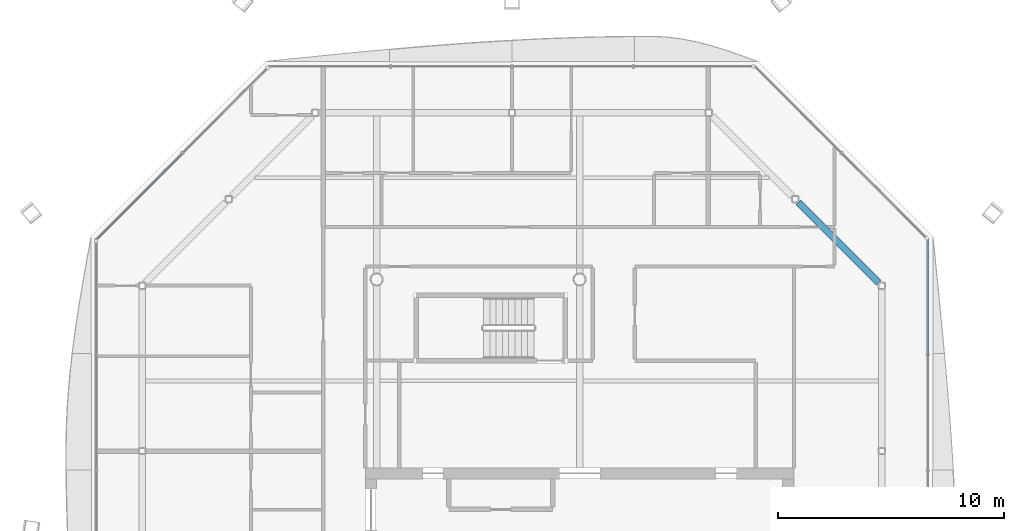
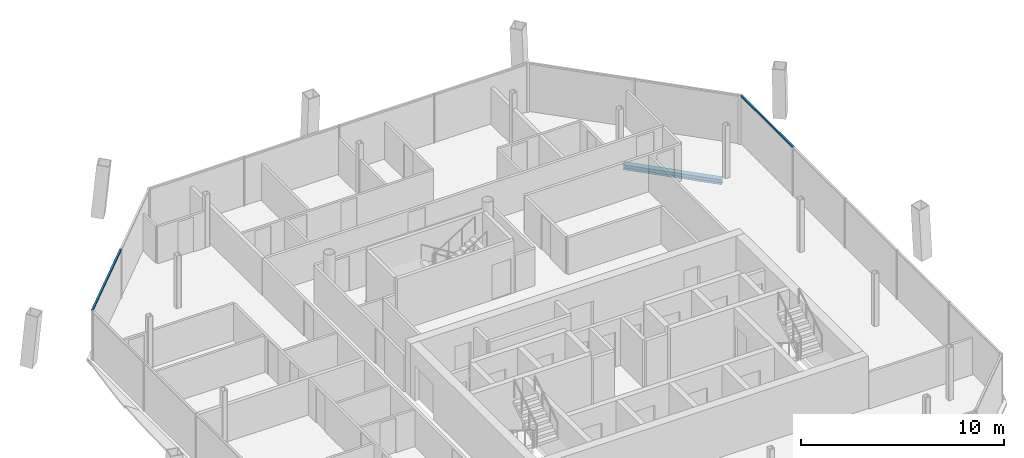
# One storey, part 8 of 17: 2 members, 1 beam, 2 elements without a shape of their own.
"""IFC4 building model written with IfcOpenShell, lengths in metres."""

from ifc_helpers import new_model, si_unit, direction, frame, origin, origin_2d, place, context, subcontext, project, spatial, rectangle, i_section, extrude, material, material_profile, profile_set, type_object, element, aggregate, save


model = new_model("IFC4")

# Units and contexts
model_context = context("Model", 3, precision=1e-05, world=origin(), true_north=direction((0.0, 1.0)))
body_context = subcontext(model_context, "Body", "Model", "MODEL_VIEW")
ifc_project = project(units=[si_unit("LENGTHUNIT", "METRE"), si_unit("AREAUNIT", "SQUARE_METRE"), si_unit("VOLUMEUNIT", "CUBIC_METRE"), si_unit("PLANEANGLEUNIT", "RADIAN"), si_unit("MASSUNIT", "GRAM", prefix="KILO")], contexts=[model_context])

# Site, building, storey
site_placement = place(None, origin())
site = spatial("IfcSite", under=ifc_project, at=site_placement, CompositionType="ELEMENT")
building_placement = place(site_placement, origin())
building = spatial("IfcBuilding", under=site, at=building_placement, Name="Tskaro Facet Tower", CompositionType="ELEMENT")
storey_placement = place(building_placement, frame((0.0, 0.0, 229.800048828125)))
storey = spatial("IfcBuildingStorey", under=building, at=storey_placement, Name="L59", CompositionType="ELEMENT", Elevation=229.800048828125)

# Curtain wall, member
ifc_material_1 = material(Name="Bronze anodised aluminium 6063-T6", Category="aluminium")
curtain_wall_type = type_object("IfcCurtainWallType", Name="Bronze residence curtain wall (FW3)", PredefinedType="NOTDEFINED", material=ifc_material_1)
curtain_wall_1_placement = place(storey_placement, origin())
curtain_wall_1 = element("IfcCurtainWall", 1, at=curtain_wall_1_placement, inside=storey, type_object=curtain_wall_type, Name="FW3 east facet L59", PredefinedType="NOTDEFINED")
ifc_material_profile_1 = material_profile(ifc_material_1, rectangle(XDim=0.10009765625, YDim=0.090087890625, at=origin_2d()), Name="Transom 100x90")
ifc_profile_set_1 = profile_set([ifc_material_profile_1], Name="Bronze anodised aluminium 6063-T6")
member_type = type_object("IfcMemberType", Name="FW3 bronze transom 100x90", PredefinedType="USERDEFINED", material=ifc_profile_set_1)
member_1_placement = place(storey_placement, frame((15.43701171875, 5.679443359375, 2.905029296875), z_axis=(0.0, 1.0, 0.0), x_axis=(-1.0, 0.0, 0.0)))
member_1 = element("IfcMember", 2, at=member_1_placement, type_object=member_type, Name="FW3 east transom 5.1", ObjectType="TRANSOM", PredefinedType="USERDEFINED", context=body_context, shape_type="SweptSolid", body=[
    extrude(rectangle(XDim=0.10009765625, YDim=0.090087890625, at=origin_2d()), origin(), (0.0, 0.0, 1.0), 5.099609375),
])
aggregate(curtain_wall_1, [member_1])

curtain_wall_2_placement = place(storey_placement, origin())
curtain_wall_2 = element("IfcCurtainWall", 3, at=curtain_wall_2_placement, inside=storey, type_object=curtain_wall_type, Name="FW3 north-west facet L59", PredefinedType="NOTDEFINED")
member_2_placement = place(storey_placement, frame((-17.625732421875, 14.59033203125, 2.905029296875), z_axis=(-0.707106781187, -0.707106781187, 0.0), x_axis=(0.707106781187, -0.707106781187, 0.0)))
member_2 = element("IfcMember", 4, at=member_2_placement, type_object=member_type, Name="FW3 north-west transom 2.1", ObjectType="TRANSOM", PredefinedType="USERDEFINED", context=body_context, shape_type="SweptSolid", body=[
    extrude(rectangle(XDim=0.10009765625, YDim=0.090087890625, at=origin_2d()), origin(), (0.0, 0.0, 1.0), 5.389892578125),
])
aggregate(curtain_wall_2, [member_2])

# Beam
ifc_material_2 = material(Name="Steel S355J2", Category="steel")
ifc_material_profile_2 = material_profile(ifc_material_2, i_section(OverallWidth=0.300048828125, OverallDepth=0.300048828125, WebThickness=0.010986328125, FlangeThickness=0.01904296875, FilletRadius=0.027099609375, at=origin_2d()), Name="HE 300 B")
ifc_profile_set_2 = profile_set([ifc_material_profile_2], Name="Steel S355J2")
beam_type = type_object("IfcBeamType", Name="HE 300 B ring beam", PredefinedType="BEAM", material=ifc_profile_set_2)
beam_placement = place(storey_placement, frame((13.255126953125, 8.86083984375, -0.2900390625), z_axis=(-0.707106781187, 0.707106781187, 0.0), x_axis=(-0.707106781187, -0.707106781187, 0.0)))
element("IfcBeam", 5, at=beam_placement, inside=storey, type_object=beam_type, Name="HE 300 B EB8-5", PredefinedType="BEAM", context=body_context, shape_type="SweptSolid", body=[
    extrude(i_section(OverallWidth=0.300048828125, OverallDepth=0.300048828125, WebThickness=0.010986328125, FlangeThickness=0.01904296875, FilletRadius=0.027099609375, at=origin_2d()), origin(), (0.0, 0.0, 1.0), 5.036376953125),
])

save(model, "model.ifc")
